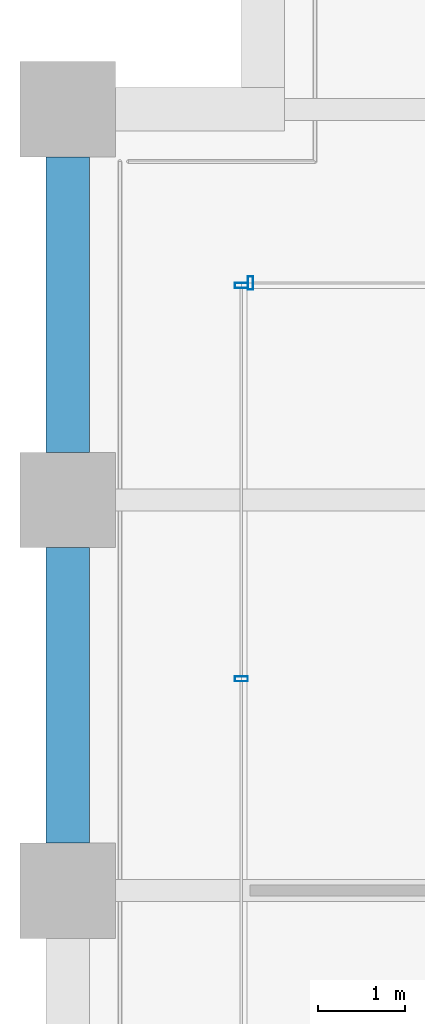
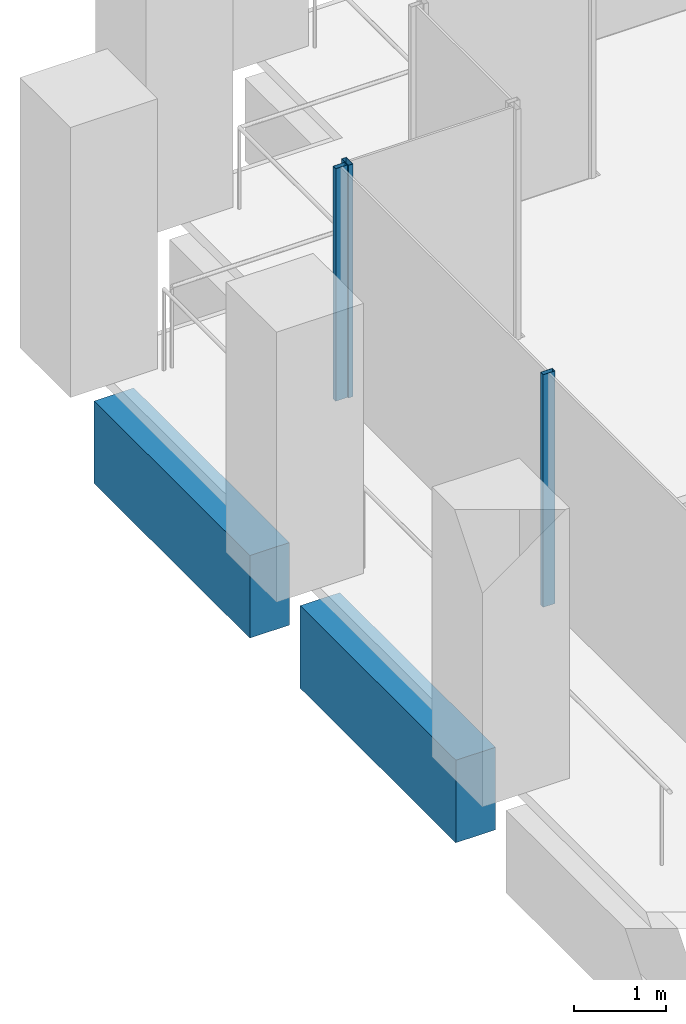
# One storey, part 23 of 56: 3 members, 2 beams, 2 elements without a shape of their own.
"""IFC4 building model written with IfcOpenShell, lengths in metres."""

from ifc_helpers import new_model, si_unit, direction, frame, origin, origin_2d, place, context, subcontext, project, spatial, rectangle, hollow_rectangle, extrude, material, material_profile, profile_set, type_object, element, aggregate, save


model = new_model("IFC4")

# Units and contexts
model_context = context("Model", 3, precision=1e-05, world=origin(), true_north=direction((0.0, 1.0)))
body_context = subcontext(model_context, "Body", "Model", "MODEL_VIEW")
ifc_project = project(units=[si_unit("LENGTHUNIT", "METRE"), si_unit("AREAUNIT", "SQUARE_METRE"), si_unit("VOLUMEUNIT", "CUBIC_METRE"), si_unit("PLANEANGLEUNIT", "RADIAN"), si_unit("MASSUNIT", "GRAM", prefix="KILO")], contexts=[model_context])

# Site, building, storey
site_placement = place(None, origin())
site = spatial("IfcSite", under=ifc_project, at=site_placement, CompositionType="ELEMENT")
building_placement = place(site_placement, origin())
building = spatial("IfcBuilding", under=site, at=building_placement, Name="Altepetl Exchange Towers", CompositionType="ELEMENT")
storey_placement = place(building_placement, frame((0.0, 0.0, 51.0)))
storey = spatial("IfcBuildingStorey", under=building, at=storey_placement, Name="L11", CompositionType="ELEMENT", Elevation=51.0)

# Curtain wall, member
ifc_material_1 = material(Name="Aluminium 6063-T6 glazing", Category="aluminium")
curtain_wall_type = type_object("IfcCurtainWallType", Name="Loggia glazing system", PredefinedType="NOTDEFINED", material=ifc_material_1)
curtain_wall_1_placement = place(storey_placement, origin())
curtain_wall_1 = element("IfcCurtainWall", 1, at=curtain_wall_1_placement, inside=storey, type_object=curtain_wall_type, Name="CW1 run", PredefinedType="NOTDEFINED")
ifc_material_2 = material(Name="Aluminium 6063-T6", Category="aluminium")
ifc_material_profile_1 = material_profile(ifc_material_2, hollow_rectangle(XDim=0.06005859375, YDim=0.14990234375, WallThickness=0.0029296875, at=origin_2d()), Name="Mullion 60x150 aluminium")
ifc_profile_set_1 = profile_set([ifc_material_profile_1], Name="Aluminium 6063-T6")
member_type = type_object("IfcMemberType", Name="Mullion 60x150 aluminium", PredefinedType="MULLION", material=ifc_profile_set_1)
member_1_placement = place(storey_placement, frame((29.10498046875, 65.5, 0.0), z_axis=(0.0, 0.0, 1.0), x_axis=(-1.0, 0.0, 0.0)))
member_1 = element("IfcMember", 2, at=member_1_placement, type_object=member_type, Name="MU1 mullion", PredefinedType="MULLION", context=body_context, shape_type="SweptSolid", body=[
    extrude(hollow_rectangle(XDim=0.06005859375, YDim=0.14990234375, WallThickness=0.0029296875, at=origin_2d()), origin(), (0.0, 0.0, 1.0), 3.10009765625),
])
aggregate(curtain_wall_1, [member_1])

# Curtain wall, members
curtain_wall_2_placement = place(storey_placement, origin())
curtain_wall_2 = element("IfcCurtainWall", 3, at=curtain_wall_2_placement, inside=storey, type_object=curtain_wall_type, Name="CW1 run", PredefinedType="NOTDEFINED")
member_2_placement = place(storey_placement, frame((29.0, 65.469970703125, 0.0), z_axis=(0.0, 0.0, 1.0), x_axis=(0.0, -1.0, 0.0)))
member_2 = element("IfcMember", 4, at=member_2_placement, type_object=member_type, Name="MU1 mullion", PredefinedType="MULLION", context=body_context, shape_type="SweptSolid", body=[
    extrude(hollow_rectangle(XDim=0.06005859375, YDim=0.14990234375, WallThickness=0.0029296875, at=origin_2d()), origin(), (0.0, 0.0, 1.0), 3.10009765625),
])
member_3_placement = place(storey_placement, frame((29.0, 60.939208984375, 0.0), z_axis=(0.0, 0.0, 1.0), x_axis=(0.0, -1.0, 0.0)))
member_3 = element("IfcMember", 5, at=member_3_placement, type_object=member_type, Name="MU1 mullion", PredefinedType="MULLION", context=body_context, shape_type="SweptSolid", body=[
    extrude(hollow_rectangle(XDim=0.06005859375, YDim=0.14990234375, WallThickness=0.0029296875, at=origin_2d()), origin(), (0.0, 0.0, 1.0), 3.10009765625),
])
aggregate(curtain_wall_2, [member_2, member_3])

# Beams
ifc_material_3 = material(Name="Concrete C50/60 precast with tezontle facing", Category="concrete")
ifc_material_profile_2 = material_profile(ifc_material_3, rectangle(XDim=0.5, YDim=1.10009765625, at=origin_2d()), Name="500 x 1100")
ifc_profile_set_2 = profile_set([ifc_material_profile_2], Name="Concrete C50/60 precast with tezontle facing")
beam_type = type_object("IfcBeamType", Name="Spandrel beam 500x1100 tezontle", PredefinedType="SPANDREL", material=ifc_profile_set_2)
for number, where, z_axis, x_axis, name in (
    (6, (27.0, 66.949951171875, -0.699951171875), (0.0, -1.0, 0.0), (1.0, 0.0, 0.0), "sp:A:L11:036"),
    (7, (27.0, 62.449951171875, -0.699951171875), (0.0, -1.0, 0.0), (1.0, 0.0, 0.0), "sp:A:L11:037"),
):
    element("IfcBeam", number, at=place(storey_placement, frame(where, z_axis=z_axis, x_axis=x_axis)), inside=storey, type_object=beam_type, Name=name, PredefinedType="SPANDREL", context=body_context, shape_type="SweptSolid", body=[
        extrude(rectangle(XDim=0.5, YDim=1.10009765625, at=origin_2d()), origin(), (0.0, 0.0, 1.0), 3.39990234375),
    ])

save(model, "model.ifc")
